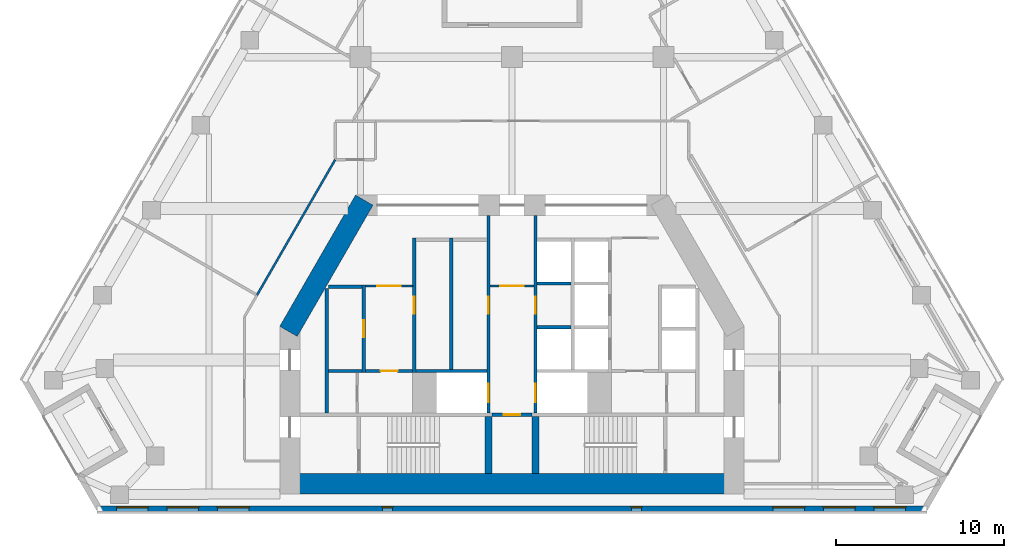
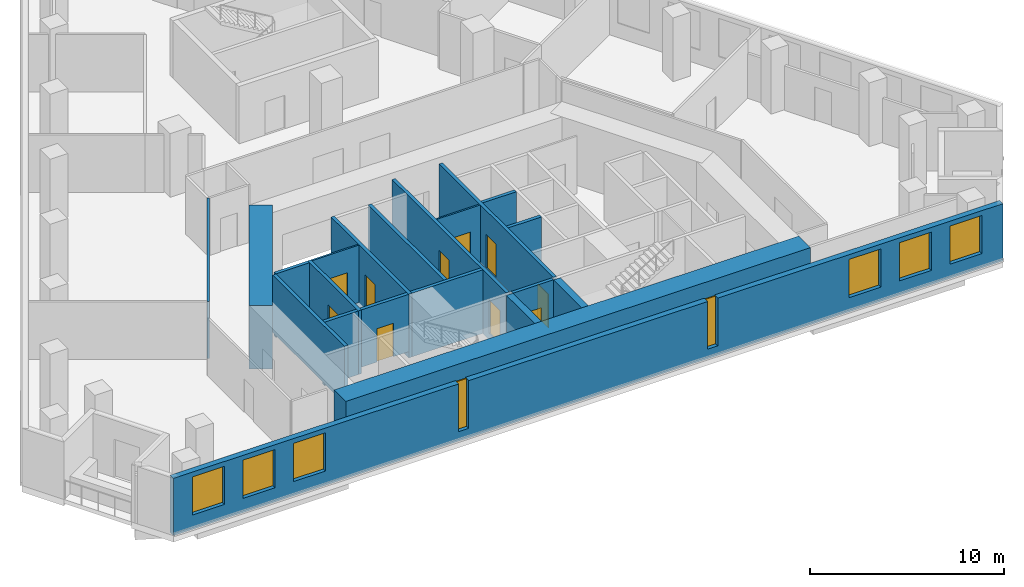
# One storey, part 4 of 9: 21 walls, 10 doors, 8 windows, 18 openings.
"""IFC4 building model written with IfcOpenShell, lengths in metres."""

import ifcopenshell
import ifcopenshell.guid

model = None  # the IFC model being written
_history = None  # IfcOwnerHistory: only IFC2X3 demands one
_inside = {}  # id of a spatial element -> (the spatial element, [elements in it])
_under = {}  # id of a project, library or spatial element -> (it, [spatial elements below it])
_declared = {}  # id of a project -> (the project, [libraries it declares])
_typed = {}  # id of a type object -> (the type object, [elements of that type])
_made_of = {}  # id of a material, layer set ... -> (it, [elements and type objects made of it])


def new_model(schema):
    """Start an empty IFC model of exactly this schema.

    Asked for "IFC4X3", IfcOpenShell would pick the latest addendum, in which some entities
    have other attributes; the version numbers below select the first issue.
    IFC2X3 requires an IfcOwnerHistory on every rooted entity: one is made here for all.
    """
    global model, _history
    if schema == "IFC4X3":
        model = ifcopenshell.file(schema_version=(4, 3, 0, 0))
    else:
        model = ifcopenshell.file(schema=schema)
    _inside.clear()
    _under.clear()
    _declared.clear()
    _typed.clear()
    _made_of.clear()
    _history = None
    if model.schema == "IFC2X3":
        org = make("IfcOrganization", Name="unknown")
        user = make(
            "IfcPersonAndOrganization",
            ThePerson=make("IfcPerson", FamilyName="unknown"),
            TheOrganization=org,
        )
        app = make(
            "IfcApplication",
            ApplicationDeveloper=org,
            Version="unknown",
            ApplicationFullName="unknown",
            ApplicationIdentifier="unknown",
        )
        _history = make(
            "IfcOwnerHistory",
            OwningUser=user,
            OwningApplication=app,
            ChangeAction="ADDED",
            CreationDate=0,
        )
    return model


def make(cls, **values):
    """One entity of the class cls with the attributes given. An attribute that is None is left unset."""
    return model.create_entity(
        cls, **{name: value for name, value in values.items() if value is not None}
    )


def rooted(cls, **values):
    """An entity with a GlobalId (a new one), such as an element, a storey or a relation."""
    return make(cls, GlobalId=ifcopenshell.guid.new(), OwnerHistory=_history, **values)


def si_unit(unit_type, name, prefix=None):
    """IfcSIUnit, for example si_unit("LENGTHUNIT", "METRE", prefix="MILLI")."""
    return make("IfcSIUnit", UnitType=unit_type, Prefix=prefix, Name=name)


def assignment(units):
    """IfcUnitAssignment: the units of a project."""
    return None if units is None else make("IfcUnitAssignment", Units=units)


def point(xyz):
    """IfcCartesianPoint."""
    return None if xyz is None else make("IfcCartesianPoint", Coordinates=xyz)


def direction(xyz):
    """IfcDirection."""
    return None if xyz is None else make("IfcDirection", DirectionRatios=xyz)


def frame(location, z_axis=None, x_axis=None):
    """IfcAxis2Placement3D, a coordinate frame: its origin and axes. An axis left out is left unset."""
    return make(
        "IfcAxis2Placement3D",
        Location=point(location),
        Axis=direction(z_axis),
        RefDirection=direction(x_axis),
    )


def frame_2d(location, x_axis=None):
    """IfcAxis2Placement2D, a coordinate frame in the plane: its origin and x axis."""
    return make(
        "IfcAxis2Placement2D", Location=point(location), RefDirection=direction(x_axis)
    )


def origin():
    """The frame at (0, 0, 0) with its axes left unset."""
    return frame((0.0, 0.0, 0.0))


def place(relative_to, where):
    """IfcLocalPlacement: puts the frame where relative to a parent placement (None: the world)."""
    return make(
        "IfcLocalPlacement", PlacementRelTo=relative_to, RelativePlacement=where
    )


def context(
    kind, dimensions, precision=None, world=None, true_north=None, identifier=None
):
    """IfcGeometricRepresentationContext, for example the 3D "Model" context."""
    return make(
        "IfcGeometricRepresentationContext",
        ContextIdentifier=identifier,
        ContextType=kind,
        CoordinateSpaceDimension=dimensions,
        Precision=precision,
        WorldCoordinateSystem=world,
        TrueNorth=true_north,
    )


def subcontext(parent, identifier, kind, view, scale=None):
    """IfcGeometricRepresentationSubContext, for example "Body" below "Model"."""
    return make(
        "IfcGeometricRepresentationSubContext",
        ContextIdentifier=identifier,
        ContextType=kind,
        ParentContext=parent,
        TargetScale=scale,
        TargetView=view,
    )


def project(units=None, contexts=None):
    """IfcProject with its units and contexts."""
    return rooted(
        "IfcProject",
        Name="project",
        RepresentationContexts=contexts,
        UnitsInContext=assignment(units),
    )


def spatial(cls, under=None, at=None, **own):
    """A site, building, storey or space (cls), placed at a placement, below another one or the project."""
    s = rooted(cls, ObjectPlacement=at, **own)
    if under is not None:
        _under.setdefault(under.id(), (under, []))[1].append(s)
    return s


def profile(cls, at=None, kind="AREA", **sizes):
    """A parametric profile (cls). Its sizes go by their IFC names, for example OverallWidth=200.0."""
    return make(cls, ProfileType=kind, Position=at, **sizes)


def rectangle(**sizes):
    """IfcRectangleProfileDef."""
    return profile("IfcRectangleProfileDef", **sizes)


def extrude(swept, where, along, depth):
    """IfcExtrudedAreaSolid: the profile swept, set in the frame where, extruded along a direction by depth."""
    return make(
        "IfcExtrudedAreaSolid",
        SweptArea=swept,
        Position=where,
        ExtrudedDirection=direction(along),
        Depth=depth,
    )


def shape(context_of_items, identifier, shape_type, items):
    """IfcShapeRepresentation: the items that make up one representation, for example the "Body"."""
    return make(
        "IfcShapeRepresentation",
        ContextOfItems=context_of_items,
        RepresentationIdentifier=identifier,
        RepresentationType=shape_type,
        Items=items,
    )


def material(Name=None, Category=None):
    """IfcMaterial."""
    return make("IfcMaterial", Name=Name, Category=Category)


def layer(
    of_material, thickness, ventilated=None, Name=None, Category=None, Priority=None
):
    """IfcMaterialLayer: one layer of a wall or slab, of a material (None: an air gap)."""
    return make(
        "IfcMaterialLayer",
        Material=of_material,
        LayerThickness=thickness,
        IsVentilated=ventilated,
        Name=Name,
        Category=Category,
        Priority=Priority,
    )


def layer_set(layers, Name=None):
    """IfcMaterialLayerSet."""
    return make("IfcMaterialLayerSet", MaterialLayers=layers, LayerSetName=Name)


def made_of(thing, what):
    """Note that an element or type object is made of a material, layer set ...; save() writes the relation."""
    if what is not None:
        _made_of.setdefault(what.id(), (what, []))[1].append(thing)
    return thing


def type_object(cls, material=None, **own):
    """A type object (cls), such as IfcWallType, which elements share."""
    return made_of(rooted(cls, **own), material)


def element(
    cls,
    number,
    at=None,
    inside=None,
    cuts=None,
    type_object=None,
    material=None,
    context=None,
    identifier="Body",
    shape_type=None,
    held_by="IfcProductDefinitionShape",
    body=None,
    shapes=None,
    **own,
):
    """One element of the class cls, such as IfcWall. Its Tag is "e" and its number.

    at: its placement. inside: the storey or other place that contains it. cuts: it is an
    opening in that element (IfcRelVoidsElement). A single representation is given by context,
    identifier, shape_type and body (its items); several are given by shapes. held_by: the class
    of the entity that holds the representations. save() writes the other relations.
    """
    e = rooted(cls, Tag="e%d" % number, ObjectPlacement=at, **own)
    if body is not None:
        shapes = [shape(context, identifier, shape_type, body)]
    if shapes is not None:
        e.Representation = make(held_by, Representations=shapes)
    if inside is not None:
        _inside.setdefault(inside.id(), (inside, []))[1].append(e)
    if cuts is not None:
        rooted(
            "IfcRelVoidsElement", RelatingBuildingElement=cuts, RelatedOpeningElement=e
        )
    if type_object is not None:
        _typed.setdefault(type_object.id(), (type_object, []))[1].append(e)
    return made_of(e, material)


def fill(opening, filler):
    """IfcRelFillsElement: the door or window that sits in an opening."""
    return rooted(
        "IfcRelFillsElement",
        RelatingOpeningElement=opening,
        RelatedBuildingElement=filler,
    )


def aggregate(whole, parts):
    """IfcRelAggregates: a whole, such as a stair, and the parts it consists of."""
    return rooted("IfcRelAggregates", RelatingObject=whole, RelatedObjects=parts)


def save(model, path):
    """Write the relations noted so far, then the file.

    IfcRelAggregates (storeys below a building ...), IfcRelContainedInSpatialStructure (elements
    in a storey), IfcRelDefinesByType, IfcRelAssociatesMaterial and IfcRelDeclares: one each for
    every whole, place, type object, material and project.
    """
    for whole, parts in _under.values():
        aggregate(whole, parts)
    for where, things in _inside.values():
        rooted(
            "IfcRelContainedInSpatialStructure",
            RelatedElements=things,
            RelatingStructure=where,
        )
    for kind, things in _typed.values():
        rooted("IfcRelDefinesByType", RelatedObjects=things, RelatingType=kind)
    for what, things in _made_of.values():
        rooted("IfcRelAssociatesMaterial", RelatedObjects=things, RelatingMaterial=what)
    for by, libraries in _declared.values():
        rooted("IfcRelDeclares", RelatingContext=by, RelatedDefinitions=libraries)
    model.write(path)


model = new_model("IFC4")

# Units and contexts
model_context = context("Model", 3, precision=1e-05, world=origin(), true_north=direction((0.0, 1.0)))
body_context = subcontext(model_context, "Body", "Model", "MODEL_VIEW")
ifc_project = project(units=[si_unit("LENGTHUNIT", "METRE"), si_unit("AREAUNIT", "SQUARE_METRE"), si_unit("VOLUMEUNIT", "CUBIC_METRE"), si_unit("PLANEANGLEUNIT", "RADIAN"), si_unit("MASSUNIT", "GRAM", prefix="KILO")], contexts=[model_context])

# Site, building, storey
site_placement = place(None, origin())
site = spatial("IfcSite", under=ifc_project, at=site_placement, CompositionType="ELEMENT")
building_placement = place(site_placement, origin())
building = spatial("IfcBuilding", under=site, at=building_placement, Name="Fogline Exchange Tower", CompositionType="ELEMENT")
storey_placement = place(building_placement, frame((0.0, 0.0, 150.89990234375)))
storey = spatial("IfcBuildingStorey", under=building, at=storey_placement, Name="L33", CompositionType="ELEMENT", Elevation=150.89990234375)

# Wall, opening, door
ifc_material_1 = material(Name="Blockwork partition", Category="masonry")
ifc_layer_1 = layer(ifc_material_1, 0.10009765625)
ifc_layer_set_1 = layer_set([ifc_layer_1], Name="CW10")
wall_type_1 = type_object("IfcWallType", Name="CW10", PredefinedType="PARTITIONING", material=ifc_layer_set_1)
wall_1_placement = place(storey_placement, frame((-8.699951171875, 13.39990234375, 0.0), z_axis=(0.0, 0.0, 1.0), x_axis=(1.0, 0.0, 0.0)))
wall_1 = element("IfcWall", 1, at=wall_1_placement, inside=storey, type_object=wall_type_1, Name="Lift lobby partition", PredefinedType="PARTITIONING", context=body_context, shape_type="SweptSolid", body=[
    extrude(rectangle(XDim=2.800048828125, YDim=0.10009765625, at=frame_2d((1.39990234375, 0.0))), origin(), (0.0, 0.0, 1.0), 3.60009765625),
])
opening_1_placement = place(wall_1_placement, frame((0.699951171875, 0.0, 0.0)))
opening_1 = element("IfcOpeningElement", 2, at=opening_1_placement, cuts=wall_1, Name="Opening T10-C006", PredefinedType="OPENING", context=body_context, shape_type="SweptSolid", body=[
    extrude(rectangle(XDim=1.39990234375, YDim=2.10009765625, at=frame_2d((0.699951171875, 1.050048828125))), frame((0.0, 0.06005859375, 0.0), z_axis=(0.0, -1.0, 0.0), x_axis=(1.0, 0.0, 0.0)), (0.0, 0.0, 1.0), 0.1201171875),
])
ifc_material_2 = material(Name="Steel and timber fire door", Category="steel")
door_type_1 = type_object("IfcDoorType", Name="D-LB1", OperationType="DOUBLE_DOOR_SINGLE_SWING", PredefinedType="DOOR", material=ifc_material_2)
door_1_placement = place(opening_1_placement, frame((1.39990234375, 0.0, 0.0), z_axis=(0.0, 0.0, 1.0), x_axis=(-1.0, 0.0, 0.0)))
door_1 = element("IfcDoor", 3, at=door_1_placement, inside=storey, type_object=door_type_1, Name="Door to lift lobby", OperationType="DOUBLE_DOOR_SINGLE_SWING", OverallHeight=2.10009765625, OverallWidth=1.39990234375, PredefinedType="DOOR", context=body_context, shape_type="SweptSolid", body=[
    extrude(rectangle(XDim=1.39990234375, YDim=2.10009765625, at=frame_2d((0.699951171875, 1.050048828125))), frame((0.0, 0.02490234375, 0.0), z_axis=(0.0, -1.0, 0.0), x_axis=(1.0, 0.0, 0.0)), (0.0, 0.0, 1.0), 0.050048828125),
])
fill(opening_1, door_1)

wall_2_placement = place(storey_placement, frame((-1.300048828125, 13.39990234375, 0.0), z_axis=(0.0, 0.0, 1.0), x_axis=(1.0, 0.0, 0.0)))
wall_2 = element("IfcWall", 4, at=wall_2_placement, inside=storey, type_object=wall_type_1, Name="Lift lobby partition", PredefinedType="PARTITIONING", context=body_context, shape_type="SweptSolid", body=[
    extrude(rectangle(XDim=2.60009765625, YDim=0.10009765625, at=frame_2d((1.300048828125, 0.0))), origin(), (0.0, 0.0, 1.0), 3.60009765625),
])
opening_2_placement = place(wall_2_placement, frame((0.60009765625, 0.0, 0.0)))
opening_2 = element("IfcOpeningElement", 5, at=opening_2_placement, cuts=wall_2, Name="Opening T10-C018", PredefinedType="OPENING", context=body_context, shape_type="SweptSolid", body=[
    extrude(rectangle(XDim=1.39990234375, YDim=2.10009765625, at=frame_2d((0.699951171875, 1.050048828125))), frame((0.0, 0.06005859375, 0.0), z_axis=(0.0, -1.0, 0.0), x_axis=(1.0, 0.0, 0.0)), (0.0, 0.0, 1.0), 0.1201171875),
])
door_2_placement = place(opening_2_placement, origin())
door_2 = element("IfcDoor", 6, at=door_2_placement, inside=storey, type_object=door_type_1, Name="Door to firefighting lift lobby", OperationType="DOUBLE_DOOR_SINGLE_SWING", OverallHeight=2.10009765625, OverallWidth=1.39990234375, PredefinedType="DOOR", context=body_context, shape_type="SweptSolid", body=[
    extrude(rectangle(XDim=1.39990234375, YDim=2.10009765625, at=frame_2d((0.699951171875, 1.050048828125))), frame((0.0, 0.02490234375, 0.0), z_axis=(0.0, -1.0, 0.0), x_axis=(1.0, 0.0, 0.0)), (0.0, 0.0, 1.0), 0.050048828125),
])
fill(opening_2, door_2)

# Wall
ifc_material_3 = material(Name="Concrete C40", Category="concrete")
ifc_layer_2 = layer(ifc_material_3, 0.199951171875)
ifc_layer_set_2 = layer_set([ifc_layer_2], Name="CW20")
wall_type_2 = type_object("IfcWallType", Name="CW20", PredefinedType="SOLIDWALL", material=ifc_layer_set_2)
wall_3_placement = place(storey_placement, frame((-11.0, 5.85009765625, 0.0), z_axis=(0.0, 0.0, 1.0), x_axis=(0.0, 1.0, 0.0)))
element("IfcWall", 7, at=wall_3_placement, inside=storey, type_object=wall_type_2, Name="Service room wall", PredefinedType="SOLIDWALL", context=body_context, shape_type="SweptSolid", body=[
    extrude(rectangle(XDim=7.39990234375, YDim=0.199951171875, at=frame_2d((3.699951171875, 0.0))), origin(), (0.0, 0.0, 1.0), 3.60009765625),
])

# Wall, opening, door
wall_4_placement = place(storey_placement, frame((-8.699951171875, 8.35009765625, 0.0), z_axis=(0.0, 0.0, 1.0), x_axis=(1.0, 0.0, 0.0)))
wall_4 = element("IfcWall", 8, at=wall_4_placement, inside=storey, type_object=wall_type_2, Name="WC wall", PredefinedType="SOLIDWALL", context=body_context, shape_type="SweptSolid", body=[
    extrude(rectangle(XDim=2.800048828125, YDim=0.199951171875, at=frame_2d((1.39990234375, 0.0))), origin(), (0.0, 0.0, 1.0), 3.60009765625),
])
opening_3_placement = place(wall_4_placement, frame((0.89990234375, 0.0, 0.0)))
opening_3 = element("IfcOpeningElement", 9, at=opening_3_placement, cuts=wall_4, Name="Opening T10-C007", PredefinedType="OPENING", context=body_context, shape_type="SweptSolid", body=[
    extrude(rectangle(XDim=1.0, YDim=2.10009765625, at=frame_2d((0.5, 1.050048828125))), frame((0.0, 0.10986328125, 0.0), z_axis=(0.0, -1.0, 0.0), x_axis=(1.0, 0.0, 0.0)), (0.0, 0.0, 1.0), 0.219970703125),
])
door_type_2 = type_object("IfcDoorType", Name="D-WC1", OperationType="SINGLE_SWING_LEFT", PredefinedType="DOOR", material=ifc_material_2)
door_3_placement = place(opening_3_placement, frame((1.0, 0.0, 0.0), z_axis=(0.0, 0.0, 1.0), x_axis=(-1.0, 0.0, 0.0)))
door_3 = element("IfcDoor", 10, at=door_3_placement, inside=storey, type_object=door_type_2, Name="Door to Men's WC", OperationType="SINGLE_SWING_LEFT", OverallHeight=2.10009765625, OverallWidth=1.0, PredefinedType="DOOR", context=body_context, shape_type="SweptSolid", body=[
    extrude(rectangle(XDim=1.0, YDim=2.10009765625, at=frame_2d((0.5, 1.050048828125))), frame((0.0, 0.02490234375, 0.0), z_axis=(0.0, -1.0, 0.0), x_axis=(1.0, 0.0, 0.0)), (0.0, 0.0, 1.0), 0.050048828125),
])
fill(opening_3, door_3)

ifc_layer_3 = layer(ifc_material_3, 0.199951171875)
ifc_layer_set_3 = layer_set([ifc_layer_3], Name="CW20R")
wall_type_3 = type_object("IfcWallType", Name="CW20R", PredefinedType="SOLIDWALL", material=ifc_layer_set_3)
wall_5_placement = place(storey_placement, frame((-1.199951171875, 5.75, -0.39990234375), z_axis=(0.0, 0.0, 1.0), x_axis=(1.0, 0.0, 0.0)))
wall_5 = element("IfcWall", 11, at=wall_5_placement, inside=storey, type_object=wall_type_3, Name="Stair enclosure wall", PredefinedType="SOLIDWALL", context=body_context, shape_type="SweptSolid", body=[
    extrude(rectangle(XDim=2.39990234375, YDim=0.199951171875, at=frame_2d((1.199951171875, 0.0))), origin(), (0.0, 0.0, 1.0), 4.0),
])
opening_4_placement = place(wall_5_placement, frame((0.699951171875, 0.0, 0.39990234375)))
opening_4 = element("IfcOpeningElement", 12, at=opening_4_placement, cuts=wall_5, Name="Opening T10-C005", PredefinedType="OPENING", context=body_context, shape_type="SweptSolid", body=[
    extrude(rectangle(XDim=1.0, YDim=2.10009765625, at=frame_2d((0.5, 1.050048828125))), frame((0.0, 0.10986328125, 0.0), z_axis=(0.0, -1.0, 0.0), x_axis=(1.0, 0.0, 0.0)), (0.0, 0.0, 1.0), 0.219970703125),
])
door_type_3 = type_object("IfcDoorType", Name="D-RM1", OperationType="SINGLE_SWING_LEFT", PredefinedType="DOOR", material=ifc_material_2)
door_4_placement = place(opening_4_placement, frame((1.0, 0.0, 0.0), z_axis=(0.0, 0.0, 1.0), x_axis=(-1.0, 0.0, 0.0)))
door_4 = element("IfcDoor", 13, at=door_4_placement, inside=storey, type_object=door_type_3, Name="Door to Archive Store", OperationType="SINGLE_SWING_RIGHT", OverallHeight=2.10009765625, OverallWidth=1.0, PredefinedType="DOOR", context=body_context, shape_type="SweptSolid", body=[
    extrude(rectangle(XDim=1.0, YDim=2.10009765625, at=frame_2d((0.5, 1.050048828125))), frame((0.0, 0.02490234375, 0.0), z_axis=(0.0, -1.0, 0.0), x_axis=(1.0, 0.0, 0.0)), (0.0, 0.0, 1.0), 0.050048828125),
])
fill(opening_4, door_4)

ifc_layer_4 = layer(ifc_material_3, 0.199951171875)
ifc_layer_set_4 = layer_set([ifc_layer_4], Name="CW20S")
wall_type_4 = type_object("IfcWallType", Name="CW20S", PredefinedType="SOLIDWALL", material=ifc_layer_set_4)
wall_6_placement = place(storey_placement, frame((-8.800048828125, 8.25, -0.39990234375), z_axis=(0.0, 0.0, 1.0), x_axis=(0.0, 1.0, 0.0)))
wall_6 = element("IfcWall", 14, at=wall_6_placement, inside=storey, type_object=wall_type_4, Name="Lift shaft wall", PredefinedType="SOLIDWALL", context=body_context, shape_type="SweptSolid", body=[
    extrude(rectangle(XDim=5.199951171875, YDim=0.199951171875, at=frame_2d((2.60009765625, 0.0))), origin(), (0.0, 0.0, 1.0), 4.0),
])
opening_5_placement = place(wall_6_placement, frame((2.10009765625, 0.0, 0.39990234375)))
opening_5 = element("IfcOpeningElement", 15, at=opening_5_placement, cuts=wall_6, Name="Opening T10-C001", PredefinedType="OPENING", context=body_context, shape_type="SweptSolid", body=[
    extrude(rectangle(XDim=1.0, YDim=2.10009765625, at=frame_2d((0.5, 1.050048828125))), frame((0.0, 0.10986328125, 0.0), z_axis=(0.0, -1.0, 0.0), x_axis=(1.0, 0.0, 0.0)), (0.0, 0.0, 1.0), 0.219970703125),
])
door_5_placement = place(opening_5_placement, origin())
door_5 = element("IfcDoor", 16, at=door_5_placement, inside=storey, type_object=door_type_3, Name="Door to Reprographics Room", OperationType="SINGLE_SWING_RIGHT", OverallHeight=2.10009765625, OverallWidth=1.0, PredefinedType="DOOR", context=body_context, shape_type="SweptSolid", body=[
    extrude(rectangle(XDim=1.0, YDim=2.10009765625, at=frame_2d((0.5, 1.050048828125))), frame((0.0, 0.02490234375, 0.0), z_axis=(0.0, -1.0, 0.0), x_axis=(1.0, 0.0, 0.0)), (0.0, 0.0, 1.0), 0.050048828125),
])
fill(opening_5, door_5)

wall_7_placement = place(storey_placement, frame((-5.800048828125, 8.25, -0.39990234375), z_axis=(0.0, 0.0, 1.0), x_axis=(0.0, 1.0, 0.0)))
wall_7 = element("IfcWall", 17, at=wall_7_placement, inside=storey, type_object=wall_type_4, Name="Lift shaft wall", PredefinedType="SOLIDWALL", context=body_context, shape_type="SweptSolid", body=[
    extrude(rectangle(XDim=8.0, YDim=0.199951171875, at=frame_2d((4.0, 0.0))), origin(), (0.0, 0.0, 1.0), 4.0),
])
opening_6_placement = place(wall_7_placement, frame((3.5, 0.0, 0.39990234375)))
opening_6 = element("IfcOpeningElement", 18, at=opening_6_placement, cuts=wall_7, Name="Opening T10-C002", PredefinedType="OPENING", context=body_context, shape_type="SweptSolid", body=[
    extrude(rectangle(XDim=1.0, YDim=2.10009765625, at=frame_2d((0.5, 1.050048828125))), frame((0.0, 0.10986328125, 0.0), z_axis=(0.0, -1.0, 0.0), x_axis=(1.0, 0.0, 0.0)), (0.0, 0.0, 1.0), 0.219970703125),
])
door_6_placement = place(opening_6_placement, frame((1.0, 0.0, 0.0), z_axis=(0.0, 0.0, 1.0), x_axis=(-1.0, 0.0, 0.0)))
door_6 = element("IfcDoor", 19, at=door_6_placement, inside=storey, type_object=door_type_3, Name="Door to Plant Room", OperationType="SINGLE_SWING_RIGHT", OverallHeight=2.10009765625, OverallWidth=1.0, PredefinedType="DOOR", context=body_context, shape_type="SweptSolid", body=[
    extrude(rectangle(XDim=1.0, YDim=2.10009765625, at=frame_2d((0.5, 1.050048828125))), frame((0.0, 0.02490234375, 0.0), z_axis=(0.0, -1.0, 0.0), x_axis=(1.0, 0.0, 0.0)), (0.0, 0.0, 1.0), 0.050048828125),
])
fill(opening_6, door_6)

# Wall
wall_8_placement = place(storey_placement, frame((-3.60009765625, 8.449951171875, -0.39990234375), z_axis=(0.0, 0.0, 1.0), x_axis=(0.0, 1.0, 0.0)))
element("IfcWall", 20, at=wall_8_placement, inside=storey, type_object=wall_type_4, Name="Lift shaft wall", PredefinedType="SOLIDWALL", context=body_context, shape_type="SweptSolid", body=[
    extrude(rectangle(XDim=7.800048828125, YDim=0.199951171875, at=frame_2d((3.89990234375, 0.0))), origin(), (0.0, 0.0, 1.0), 4.0),
])

# Wall, openings, doors
wall_9_placement = place(storey_placement, frame((-1.39990234375, 5.85009765625, -0.39990234375), z_axis=(0.0, 0.0, 1.0), x_axis=(0.0, 1.0, 0.0)))
wall_9 = element("IfcWall", 21, at=wall_9_placement, inside=storey, type_object=wall_type_4, Name="Lift lobby wall", PredefinedType="SOLIDWALL", context=body_context, shape_type="SweptSolid", body=[
    extrude(rectangle(XDim=11.75, YDim=0.199951171875, at=frame_2d((5.875, 0.0))), origin(), (0.0, 0.0, 1.0), 4.0),
])
opening_7_placement = place(wall_9_placement, frame((0.64990234375, 0.0, 0.39990234375)))
opening_7 = element("IfcOpeningElement", 22, at=opening_7_placement, cuts=wall_9, Name="Opening T10-LD01", PredefinedType="OPENING", context=body_context, shape_type="SweptSolid", body=[
    extrude(rectangle(XDim=1.10009765625, YDim=2.10009765625, at=frame_2d((0.550048828125, 1.050048828125))), frame((0.0, 0.10986328125, 0.0), z_axis=(0.0, -1.0, 0.0), x_axis=(1.0, 0.0, 0.0)), (0.0, 0.0, 1.0), 0.219970703125),
])
opening_8_placement = place(wall_9_placement, frame((5.89990234375, 0.0, 0.39990234375)))
opening_8 = element("IfcOpeningElement", 23, at=opening_8_placement, cuts=wall_9, Name="Opening T10-C003", PredefinedType="OPENING", context=body_context, shape_type="SweptSolid", body=[
    extrude(rectangle(XDim=1.0, YDim=2.10009765625, at=frame_2d((0.5, 1.050048828125))), frame((0.0, 0.10986328125, 0.0), z_axis=(0.0, -1.0, 0.0), x_axis=(1.0, 0.0, 0.0)), (0.0, 0.0, 1.0), 0.219970703125),
])
door_7_placement = place(opening_8_placement, origin())
door_7 = element("IfcDoor", 24, at=door_7_placement, inside=storey, type_object=door_type_3, Name="Door to Archive", OperationType="SINGLE_SWING_LEFT", OverallHeight=2.10009765625, OverallWidth=1.0, PredefinedType="DOOR", context=body_context, shape_type="SweptSolid", body=[
    extrude(rectangle(XDim=1.0, YDim=2.10009765625, at=frame_2d((0.5, 1.050048828125))), frame((0.0, 0.02490234375, 0.0), z_axis=(0.0, -1.0, 0.0), x_axis=(1.0, 0.0, 0.0)), (0.0, 0.0, 1.0), 0.050048828125),
])
fill(opening_8, door_7)
door_type_4 = type_object("IfcDoorType", Name="LD2", OperationType="SLIDING_TO_RIGHT", PredefinedType="DOOR", material=ifc_material_2)
door_8_placement = place(opening_7_placement, origin())
door_8 = element("IfcDoor", 25, at=door_8_placement, inside=storey, type_object=door_type_4, Name="Landing door FF1", OperationType="SLIDING_TO_RIGHT", OverallHeight=2.10009765625, OverallWidth=1.10009765625, PredefinedType="DOOR", context=body_context, shape_type="SweptSolid", body=[
    extrude(rectangle(XDim=1.10009765625, YDim=2.10009765625, at=frame_2d((0.550048828125, 1.050048828125))), frame((0.0, 0.02490234375, 0.0), z_axis=(0.0, -1.0, 0.0), x_axis=(1.0, 0.0, 0.0)), (0.0, 0.0, 1.0), 0.050048828125),
])
fill(opening_7, door_8)

wall_10_placement = place(storey_placement, frame((1.39990234375, 5.85009765625, -0.39990234375), z_axis=(0.0, 0.0, 1.0), x_axis=(0.0, 1.0, 0.0)))
wall_10 = element("IfcWall", 26, at=wall_10_placement, inside=storey, type_object=wall_type_4, Name="Lift lobby wall", PredefinedType="SOLIDWALL", context=body_context, shape_type="SweptSolid", body=[
    extrude(rectangle(XDim=11.75, YDim=0.199951171875, at=frame_2d((5.875, 0.0))), origin(), (0.0, 0.0, 1.0), 4.0),
])
opening_9_placement = place(wall_10_placement, frame((0.64990234375, 0.0, 0.39990234375)))
opening_9 = element("IfcOpeningElement", 27, at=opening_9_placement, cuts=wall_10, Name="Opening T10-LD05", PredefinedType="OPENING", context=body_context, shape_type="SweptSolid", body=[
    extrude(rectangle(XDim=1.10009765625, YDim=2.10009765625, at=frame_2d((0.550048828125, 1.050048828125))), frame((0.0, 0.10986328125, 0.0), z_axis=(0.0, -1.0, 0.0), x_axis=(1.0, 0.0, 0.0)), (0.0, 0.0, 1.0), 0.219970703125),
])
opening_10_placement = place(wall_10_placement, frame((5.89990234375, 0.0, 0.39990234375)))
opening_10 = element("IfcOpeningElement", 28, at=opening_10_placement, cuts=wall_10, Name="Opening T10-C004", PredefinedType="OPENING", context=body_context, shape_type="SweptSolid", body=[
    extrude(rectangle(XDim=1.0, YDim=2.10009765625, at=frame_2d((0.5, 1.050048828125))), frame((0.0, 0.10986328125, 0.0), z_axis=(0.0, -1.0, 0.0), x_axis=(1.0, 0.0, 0.0)), (0.0, 0.0, 1.0), 0.219970703125),
])
door_9_placement = place(opening_10_placement, frame((1.0, 0.0, 0.0), z_axis=(0.0, 0.0, 1.0), x_axis=(-1.0, 0.0, 0.0)))
door_9 = element("IfcDoor", 29, at=door_9_placement, inside=storey, type_object=door_type_3, Name="Door to Library Store", OperationType="SINGLE_SWING_RIGHT", OverallHeight=2.10009765625, OverallWidth=1.0, PredefinedType="DOOR", context=body_context, shape_type="SweptSolid", body=[
    extrude(rectangle(XDim=1.0, YDim=2.10009765625, at=frame_2d((0.5, 1.050048828125))), frame((0.0, 0.02490234375, 0.0), z_axis=(0.0, -1.0, 0.0), x_axis=(1.0, 0.0, 0.0)), (0.0, 0.0, 1.0), 0.050048828125),
])
fill(opening_10, door_9)
door_10_placement = place(opening_9_placement, origin())
door_10 = element("IfcDoor", 30, at=door_10_placement, inside=storey, type_object=door_type_4, Name="Landing door FF2", OperationType="SLIDING_TO_RIGHT", OverallHeight=2.10009765625, OverallWidth=1.10009765625, PredefinedType="DOOR", context=body_context, shape_type="SweptSolid", body=[
    extrude(rectangle(XDim=1.10009765625, YDim=2.10009765625, at=frame_2d((0.550048828125, 1.050048828125))), frame((0.0, 0.02490234375, 0.0), z_axis=(0.0, -1.0, 0.0), x_axis=(1.0, 0.0, 0.0)), (0.0, 0.0, 1.0), 0.050048828125),
])
fill(opening_9, door_10)

# Walls
wall_11_placement = place(storey_placement, frame((-10.89990234375, 8.35009765625, -0.39990234375), z_axis=(0.0, 0.0, 1.0), x_axis=(1.0, 0.0, 0.0)))
element("IfcWall", 31, at=wall_11_placement, inside=storey, type_object=wall_type_4, Name="Lift shaft wall", PredefinedType="SOLIDWALL", context=body_context, shape_type="SweptSolid", body=[
    extrude(rectangle(XDim=2.0, YDim=0.199951171875, at=frame_2d((1.0, 0.0))), origin(), (0.0, 0.0, 1.0), 4.0),
])
wall_12_placement = place(storey_placement, frame((-5.699951171875, 8.35009765625, -0.39990234375), z_axis=(0.0, 0.0, 1.0), x_axis=(1.0, 0.0, 0.0)))
element("IfcWall", 32, at=wall_12_placement, inside=storey, type_object=wall_type_4, Name="Lift shaft wall", PredefinedType="SOLIDWALL", context=body_context, shape_type="SweptSolid", body=[
    extrude(rectangle(XDim=4.199951171875, YDim=0.199951171875, at=frame_2d((2.10009765625, 0.0))), origin(), (0.0, 0.0, 1.0), 4.0),
])
for number, where, z_axis, x_axis, name in (
    (33, (-10.89990234375, 13.35009765625, -0.39990234375), (0.0, 0.0, 1.0), (1.0, 0.0, 0.0), "Lift shaft wall"),
    (34, (1.5, 10.949951171875, -0.39990234375), (0.0, 0.0, 1.0), (1.0, 0.0, 0.0), "Lift shaft wall"),
    (35, (1.5, 13.550048828125, -0.39990234375), (0.0, 0.0, 1.0), (1.0, 0.0, 0.0), "Lift shaft wall"),
):
    element("IfcWall", number, at=place(storey_placement, frame(where, z_axis=z_axis, x_axis=x_axis)), inside=storey, type_object=wall_type_4, Name=name, PredefinedType="SOLIDWALL", context=body_context, shape_type="SweptSolid", body=[
        extrude(rectangle(XDim=2.0, YDim=0.199951171875, at=frame_2d((1.0, 0.0))), origin(), (0.0, 0.0, 1.0), 4.0),
    ])
ifc_layer_5 = layer(ifc_material_3, 0.39990234375)
ifc_layer_set_5 = layer_set([ifc_layer_5], Name="CW40R")
wall_type_5 = type_object("IfcWallType", Name="CW40R", PredefinedType="SOLIDWALL", material=ifc_layer_set_5)
for number, where, z_axis, x_axis, name in (
    (36, (-1.39990234375, 2.25, -0.39990234375), (0.0, 0.0, 1.0), (0.0, 1.0, 0.0), "Stair and lift shaft wall"),
    (37, (1.39990234375, 2.25, -0.39990234375), (0.0, 0.0, 1.0), (0.0, 1.0, 0.0), "Stair and lift shaft wall"),
):
    element("IfcWall", number, at=place(storey_placement, frame(where, z_axis=z_axis, x_axis=x_axis)), inside=storey, type_object=wall_type_5, Name=name, PredefinedType="SOLIDWALL", context=body_context, shape_type="SweptSolid", body=[
        extrude(rectangle(XDim=3.39990234375, YDim=0.39990234375, at=frame_2d((1.699951171875, 0.0))), origin(), (0.0, 0.0, 1.0), 4.0),
    ])

# Wall, openings, windows
ifc_material_4 = material(Name="Brick masonry", Category="masonry")
ifc_layer_6 = layer(ifc_material_4, 0.340087890625)
ifc_layer_set_6 = layer_set([ifc_layer_6], Name="FW1")
wall_type_6 = type_object("IfcWallType", Name="FW1", PredefinedType="SOLIDWALL", material=ifc_layer_set_6)
wall_13_placement = place(storey_placement, frame((-24.6484375, 0.169921875, 0.0), z_axis=(0.0, 0.0, 1.0), x_axis=(1.0, 0.0, 0.0)))
wall_13 = element("IfcWall", 38, at=wall_13_placement, inside=storey, type_object=wall_type_6, Name="Brick wall L33 S", PredefinedType="SOLIDWALL", context=body_context, shape_type="SweptSolid", body=[
    extrude(rectangle(XDim=49.296875, YDim=0.340087890625, at=frame_2d((24.6484375, 0.0))), origin(), (0.0, 0.0, 1.0), 3.60009765625),
])
opening_11_placement = place(wall_13_placement, frame((1.1484375, 0.0, 0.89990234375)))
opening_11 = element("IfcOpeningElement", 39, at=opening_11_placement, cuts=wall_13, Name="Opening W1", PredefinedType="OPENING", context=body_context, shape_type="SweptSolid", body=[
    extrude(rectangle(XDim=1.885009765625, YDim=2.39990234375, at=frame_2d((0.9423828125, 1.199951171875))), frame((0.0, 0.18017578125, 0.0), z_axis=(0.0, -1.0, 0.0), x_axis=(1.0, 0.0, 0.0)), (0.0, 0.0, 1.0), 0.360107421875),
])
opening_12_placement = place(wall_13_placement, frame((4.1484375, 0.0, 0.89990234375)))
opening_12 = element("IfcOpeningElement", 40, at=opening_12_placement, cuts=wall_13, Name="Opening W1", PredefinedType="OPENING", context=body_context, shape_type="SweptSolid", body=[
    extrude(rectangle(XDim=1.885009765625, YDim=2.39990234375, at=frame_2d((0.9423828125, 1.199951171875))), frame((0.0, 0.18017578125, 0.0), z_axis=(0.0, -1.0, 0.0), x_axis=(1.0, 0.0, 0.0)), (0.0, 0.0, 1.0), 0.360107421875),
])
opening_13_placement = place(wall_13_placement, frame((7.1484375, 0.0, 0.89990234375)))
opening_13 = element("IfcOpeningElement", 41, at=opening_13_placement, cuts=wall_13, Name="Opening W1", PredefinedType="OPENING", context=body_context, shape_type="SweptSolid", body=[
    extrude(rectangle(XDim=1.885009765625, YDim=2.39990234375, at=frame_2d((0.9423828125, 1.199951171875))), frame((0.0, 0.18017578125, 0.0), z_axis=(0.0, -1.0, 0.0), x_axis=(1.0, 0.0, 0.0)), (0.0, 0.0, 1.0), 0.360107421875),
])
opening_14_placement = place(wall_13_placement, frame((40.1484375, 0.0, 0.89990234375)))
opening_14 = element("IfcOpeningElement", 42, at=opening_14_placement, cuts=wall_13, Name="Opening W1", PredefinedType="OPENING", context=body_context, shape_type="SweptSolid", body=[
    extrude(rectangle(XDim=1.885009765625, YDim=2.39990234375, at=frame_2d((0.9423828125, 1.199951171875))), frame((0.0, 0.18017578125, 0.0), z_axis=(0.0, -1.0, 0.0), x_axis=(1.0, 0.0, 0.0)), (0.0, 0.0, 1.0), 0.360107421875),
])
opening_15_placement = place(wall_13_placement, frame((43.1484375, 0.0, 0.89990234375)))
opening_15 = element("IfcOpeningElement", 43, at=opening_15_placement, cuts=wall_13, Name="Opening W1", PredefinedType="OPENING", context=body_context, shape_type="SweptSolid", body=[
    extrude(rectangle(XDim=1.885009765625, YDim=2.39990234375, at=frame_2d((0.9423828125, 1.199951171875))), frame((0.0, 0.18017578125, 0.0), z_axis=(0.0, -1.0, 0.0), x_axis=(1.0, 0.0, 0.0)), (0.0, 0.0, 1.0), 0.360107421875),
])
opening_16_placement = place(wall_13_placement, frame((46.1484375, 0.0, 0.89990234375)))
opening_16 = element("IfcOpeningElement", 44, at=opening_16_placement, cuts=wall_13, Name="Opening W1", PredefinedType="OPENING", context=body_context, shape_type="SweptSolid", body=[
    extrude(rectangle(XDim=1.885009765625, YDim=2.39990234375, at=frame_2d((0.9423828125, 1.199951171875))), frame((0.0, 0.18017578125, 0.0), z_axis=(0.0, -1.0, 0.0), x_axis=(1.0, 0.0, 0.0)), (0.0, 0.0, 1.0), 0.360107421875),
])
opening_17_placement = place(wall_13_placement, frame((16.948486328125, 0.0, 0.60009765625)))
opening_17 = element("IfcOpeningElement", 45, at=opening_17_placement, cuts=wall_13, Name="Opening W5", PredefinedType="OPENING", context=body_context, shape_type="SweptSolid", body=[
    extrude(rectangle(XDim=0.60009765625, YDim=3.0, at=frame_2d((0.300048828125, 1.5))), frame((0.0, 0.18017578125, 0.0), z_axis=(0.0, -1.0, 0.0), x_axis=(1.0, 0.0, 0.0)), (0.0, 0.0, 1.0), 0.360107421875),
])
opening_18_placement = place(wall_13_placement, frame((31.74853515625, 0.0, 0.60009765625)))
opening_18 = element("IfcOpeningElement", 46, at=opening_18_placement, cuts=wall_13, Name="Opening W5", PredefinedType="OPENING", context=body_context, shape_type="SweptSolid", body=[
    extrude(rectangle(XDim=0.60009765625, YDim=3.0, at=frame_2d((0.300048828125, 1.5))), frame((0.0, 0.18017578125, 0.0), z_axis=(0.0, -1.0, 0.0), x_axis=(1.0, 0.0, 0.0)), (0.0, 0.0, 1.0), 0.360107421875),
])
ifc_material_5 = material(Name="Aluminium and glass", Category="aluminium")
window_type_1 = type_object("IfcWindowType", Name="W1", PartitioningType="SINGLE_PANEL", PredefinedType="WINDOW", material=ifc_material_5)
window_1_placement = place(opening_11_placement, origin())
window_1 = element("IfcWindow", 47, at=window_1_placement, inside=storey, type_object=window_type_1, Name="W1 W1", OverallHeight=2.39990234375, OverallWidth=1.885009765625, PartitioningType="SINGLE_PANEL", PredefinedType="WINDOW", context=body_context, shape_type="SweptSolid", body=[
    extrude(rectangle(XDim=1.885009765625, YDim=2.39990234375, at=frame_2d((0.9423828125, 1.199951171875))), frame((0.0, 0.110107421875, 0.0), z_axis=(0.0, -1.0, 0.0), x_axis=(1.0, 0.0, 0.0)), (0.0, 0.0, 1.0), 0.06005859375),
])
fill(opening_11, window_1)
window_2_placement = place(opening_12_placement, origin())
window_2 = element("IfcWindow", 48, at=window_2_placement, inside=storey, type_object=window_type_1, Name="W1 W1", OverallHeight=2.39990234375, OverallWidth=1.885009765625, PartitioningType="SINGLE_PANEL", PredefinedType="WINDOW", context=body_context, shape_type="SweptSolid", body=[
    extrude(rectangle(XDim=1.885009765625, YDim=2.39990234375, at=frame_2d((0.9423828125, 1.199951171875))), frame((0.0, 0.110107421875, 0.0), z_axis=(0.0, -1.0, 0.0), x_axis=(1.0, 0.0, 0.0)), (0.0, 0.0, 1.0), 0.06005859375),
])
fill(opening_12, window_2)
window_3_placement = place(opening_13_placement, origin())
window_3 = element("IfcWindow", 49, at=window_3_placement, inside=storey, type_object=window_type_1, Name="W1 W1", OverallHeight=2.39990234375, OverallWidth=1.885009765625, PartitioningType="SINGLE_PANEL", PredefinedType="WINDOW", context=body_context, shape_type="SweptSolid", body=[
    extrude(rectangle(XDim=1.885009765625, YDim=2.39990234375, at=frame_2d((0.9423828125, 1.199951171875))), frame((0.0, 0.110107421875, 0.0), z_axis=(0.0, -1.0, 0.0), x_axis=(1.0, 0.0, 0.0)), (0.0, 0.0, 1.0), 0.06005859375),
])
fill(opening_13, window_3)
window_4_placement = place(opening_14_placement, origin())
window_4 = element("IfcWindow", 50, at=window_4_placement, inside=storey, type_object=window_type_1, Name="W1 W1", OverallHeight=2.39990234375, OverallWidth=1.885009765625, PartitioningType="SINGLE_PANEL", PredefinedType="WINDOW", context=body_context, shape_type="SweptSolid", body=[
    extrude(rectangle(XDim=1.885009765625, YDim=2.39990234375, at=frame_2d((0.9423828125, 1.199951171875))), frame((0.0, 0.110107421875, 0.0), z_axis=(0.0, -1.0, 0.0), x_axis=(1.0, 0.0, 0.0)), (0.0, 0.0, 1.0), 0.06005859375),
])
fill(opening_14, window_4)
window_5_placement = place(opening_15_placement, origin())
window_5 = element("IfcWindow", 51, at=window_5_placement, inside=storey, type_object=window_type_1, Name="W1 W1", OverallHeight=2.39990234375, OverallWidth=1.885009765625, PartitioningType="SINGLE_PANEL", PredefinedType="WINDOW", context=body_context, shape_type="SweptSolid", body=[
    extrude(rectangle(XDim=1.885009765625, YDim=2.39990234375, at=frame_2d((0.9423828125, 1.199951171875))), frame((0.0, 0.110107421875, 0.0), z_axis=(0.0, -1.0, 0.0), x_axis=(1.0, 0.0, 0.0)), (0.0, 0.0, 1.0), 0.06005859375),
])
fill(opening_15, window_5)
window_6_placement = place(opening_16_placement, origin())
window_6 = element("IfcWindow", 52, at=window_6_placement, inside=storey, type_object=window_type_1, Name="W1 W1", OverallHeight=2.39990234375, OverallWidth=1.885009765625, PartitioningType="SINGLE_PANEL", PredefinedType="WINDOW", context=body_context, shape_type="SweptSolid", body=[
    extrude(rectangle(XDim=1.885009765625, YDim=2.39990234375, at=frame_2d((0.9423828125, 1.199951171875))), frame((0.0, 0.110107421875, 0.0), z_axis=(0.0, -1.0, 0.0), x_axis=(1.0, 0.0, 0.0)), (0.0, 0.0, 1.0), 0.06005859375),
])
fill(opening_16, window_6)
window_type_2 = type_object("IfcWindowType", Name="W5", PartitioningType="SINGLE_PANEL", PredefinedType="WINDOW", material=ifc_material_5)
window_7_placement = place(opening_17_placement, origin())
window_7 = element("IfcWindow", 53, at=window_7_placement, inside=storey, type_object=window_type_2, Name="W5 W5", OverallHeight=3.0, OverallWidth=0.60009765625, PartitioningType="SINGLE_PANEL", PredefinedType="WINDOW", context=body_context, shape_type="SweptSolid", body=[
    extrude(rectangle(XDim=0.60009765625, YDim=3.0, at=frame_2d((0.300048828125, 1.5))), frame((0.0, 0.110107421875, 0.0), z_axis=(0.0, -1.0, 0.0), x_axis=(1.0, 0.0, 0.0)), (0.0, 0.0, 1.0), 0.06005859375),
])
fill(opening_17, window_7)
window_8_placement = place(opening_18_placement, origin())
window_8 = element("IfcWindow", 54, at=window_8_placement, inside=storey, type_object=window_type_2, Name="W5 W5", OverallHeight=3.0, OverallWidth=0.60009765625, PartitioningType="SINGLE_PANEL", PredefinedType="WINDOW", context=body_context, shape_type="SweptSolid", body=[
    extrude(rectangle(XDim=0.60009765625, YDim=3.0, at=frame_2d((0.300048828125, 1.5))), frame((0.0, 0.110107421875, 0.0), z_axis=(0.0, -1.0, 0.0), x_axis=(1.0, 0.0, 0.0)), (0.0, 0.0, 1.0), 0.06005859375),
])
fill(opening_18, window_8)

# Walls
ifc_material_6 = material(Name="Plasterboard corridor partition with mineral wool, 2 layers each side")
ifc_layer_7 = layer(ifc_material_6, 0.125)
ifc_layer_set_7 = layer_set([ifc_layer_7], Name="PW2")
wall_type_7 = type_object("IfcWallType", Name="PW2", PredefinedType="PARTITIONING", material=ifc_layer_set_7)
wall_14_placement = place(storey_placement, frame((-15.152587890625, 12.856201171875, 0.0), z_axis=(0.0, 0.0, 1.0), x_axis=(0.500000801987, 0.866024940756, 0.0)))
element("IfcWall", 55, at=wall_14_placement, inside=storey, type_object=wall_type_7, Name="wall-L33-W010", PredefinedType="PARTITIONING", context=body_context, shape_type="SweptSolid", body=[
    extrude(rectangle(XDim=9.2880859375, YDim=0.125, at=frame_2d((4.64404296875, 0.0))), origin(), (0.0, 0.0, 1.0), 3.60009765625),
])
ifc_material_7 = material(Name="Concrete C60", Category="concrete")
ifc_layer_8 = layer(ifc_material_7, 1.199951171875)
ifc_layer_set_8 = layer_set([ifc_layer_8], Name="SW02")
wall_type_8 = type_object("IfcWallType", Name="SW02", PredefinedType="SHEAR", material=ifc_layer_set_8)
wall_15_placement = place(storey_placement, frame((-13.800048828125, 1.64990234375, 0.0), z_axis=(0.0, 0.0, 1.0), x_axis=(1.0, 0.0, 0.0)))
element("IfcWall", 56, at=wall_15_placement, inside=storey, type_object=wall_type_8, Name="L33-W901", PredefinedType="SHEAR", context=body_context, shape_type="SweptSolid", body=[
    extrude(rectangle(XDim=27.60009765625, YDim=1.199951171875, at=frame_2d((13.800048828125, 0.0))), origin(), (0.0, 0.0, 1.0), 4.0),
])
wall_16_placement = place(storey_placement, frame((-8.776611328125, 18.5, 0.0), z_axis=(0.0, 0.0, 1.0), x_axis=(-0.499998513025, -0.866026262288, 0.0)))
element("IfcWall", 57, at=wall_16_placement, inside=storey, type_object=wall_type_8, Name="L33-W905", PredefinedType="SHEAR", context=body_context, shape_type="SweptSolid", body=[
    extrude(rectangle(XDim=9.0078125, YDim=1.199951171875, at=frame_2d((4.50390625, 0.0))), origin(), (0.0, 0.0, 1.0), 4.0),
])

save(model, "model.ifc")
